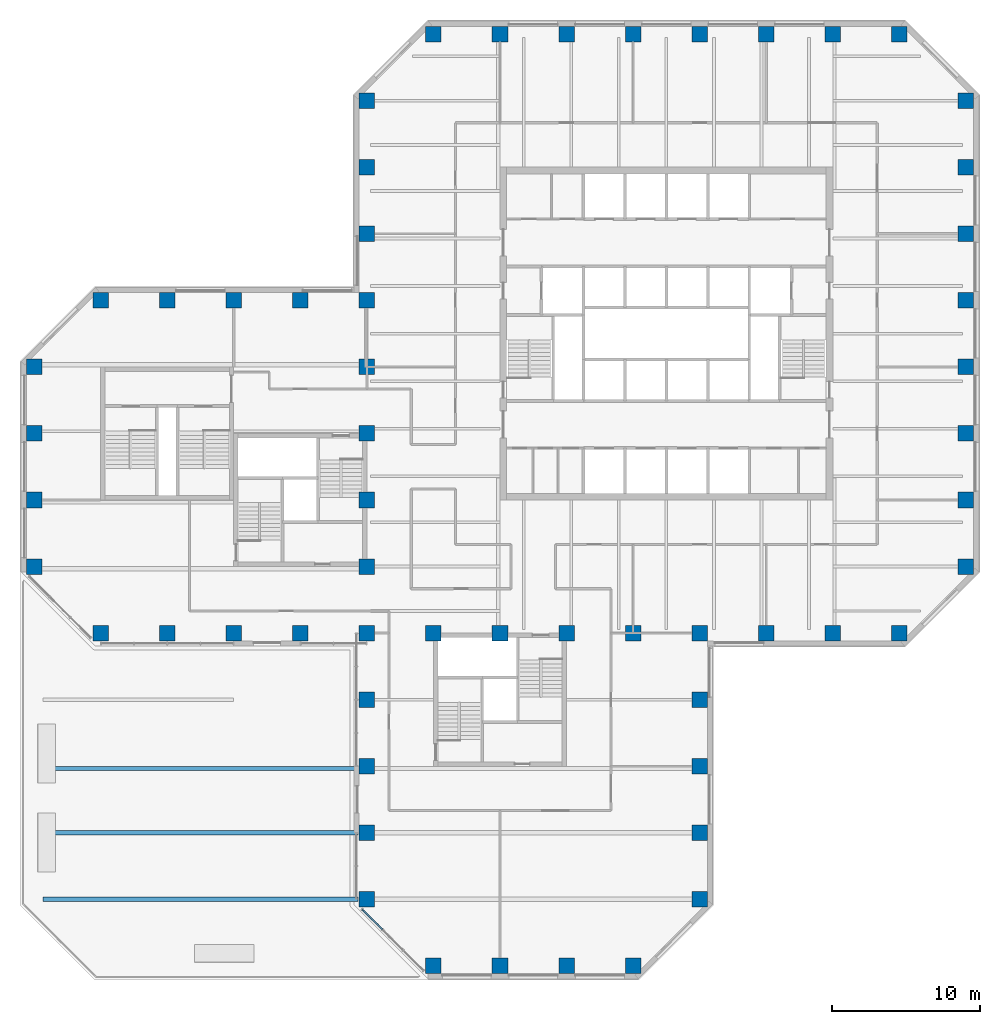
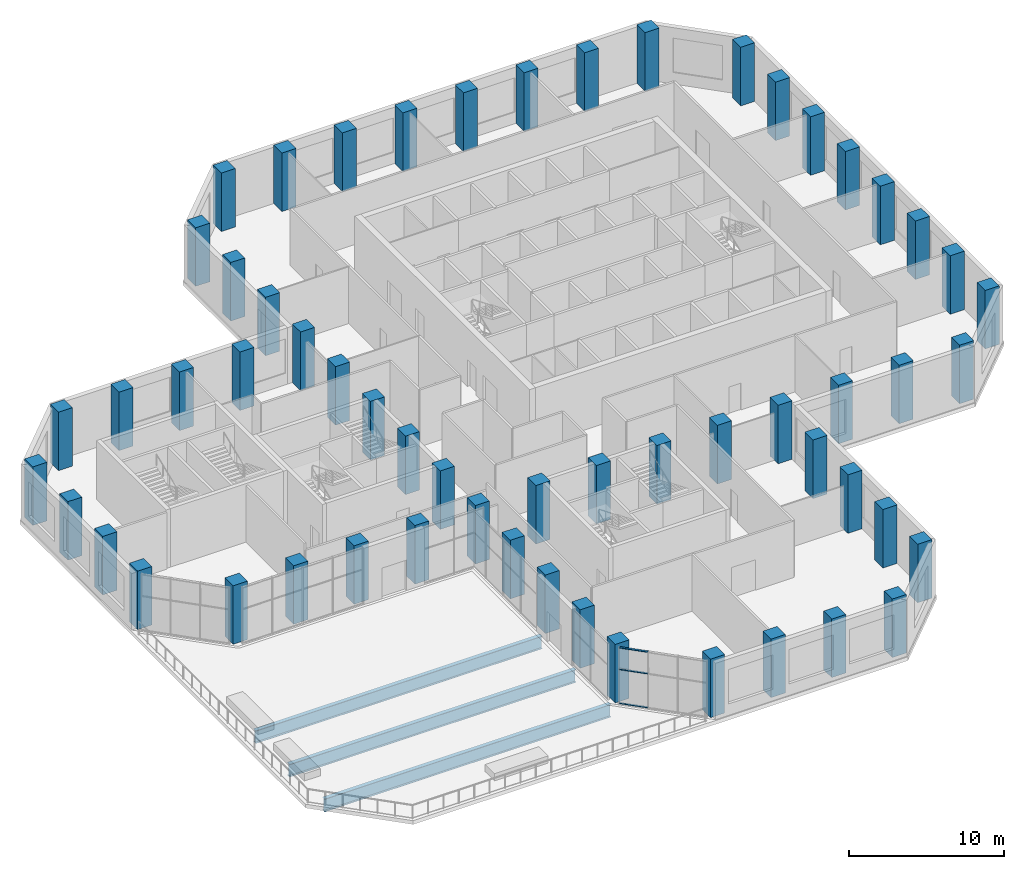
# One storey, part 1 of 14: 57 columns, 3 beams, 3 members, 1 element without a shape of its own.
"""IFC4 building model written with IfcOpenShell, lengths in metres."""

from ifc_helpers import new_model, si_unit, direction, frame, origin, origin_2d, place, context, subcontext, project, spatial, rectangle, i_section, extrude, material, constituent, constituent_set, material_profile, profile_set, type_object, element, aggregate, save


model = new_model("IFC4")

# Units and contexts
model_context = context("Model", 3, precision=1e-05, world=origin(), true_north=direction((0.0, 1.0)))
body_context = subcontext(model_context, "Body", "Model", "MODEL_VIEW")
ifc_project = project(units=[si_unit("LENGTHUNIT", "METRE"), si_unit("AREAUNIT", "SQUARE_METRE"), si_unit("VOLUMEUNIT", "CUBIC_METRE"), si_unit("PLANEANGLEUNIT", "RADIAN"), si_unit("MASSUNIT", "GRAM", prefix="KILO")], contexts=[model_context])

# Site, building, storey
site_placement = place(None, origin())
site = spatial("IfcSite", under=ifc_project, at=site_placement, CompositionType="ELEMENT")
building_placement = place(site_placement, origin())
building = spatial("IfcBuilding", under=site, at=building_placement, Name="Quoin Convention Tower", CompositionType="ELEMENT")
storey_placement = place(building_placement, frame((0.0, 0.0, 74.300048828125)))
storey = spatial("IfcBuildingStorey", under=building, at=storey_placement, Name="L19", CompositionType="ELEMENT", Elevation=74.300048828125)

# Columns
ifc_material_1 = material(Name="Concrete C65", Category="concrete")
ifc_material_profile_1 = material_profile(ifc_material_1, rectangle(XDim=1.050048828125, YDim=1.050048828125, at=origin_2d()), Name="RC 1050x1050")
ifc_profile_set_1 = profile_set([ifc_material_profile_1], Name="Concrete C65")
column_type = type_object("IfcColumnType", Name="RC 1050x1050 C65", PredefinedType="COLUMN", material=ifc_profile_set_1)
for number, where, z_axis, x_axis, name in (
    (1, (40.5, 18.0, 0.0), (0.0, 0.0, 1.0), (1.0, 0.0, 0.0), "col-L19-40500_18000"),
    (2, (45.0, 18.0, 0.0), (0.0, 0.0, 1.0), (1.0, 0.0, 0.0), "col-L19-45000_18000"),
    (3, (49.5, 18.0, 0.0), (0.0, 0.0, 1.0), (1.0, 0.0, 0.0), "col-L19-49500_18000"),
    (4, (54.0, 18.0, 0.0), (0.0, 0.0, 1.0), (1.0, 0.0, 0.0), "col-L19-54000_18000"),
    (5, (36.0, 22.5, 0.0), (0.0, 0.0, 1.0), (1.0, 0.0, 0.0), "col-L19-36000_22500"),
    (6, (58.5, 22.5, 0.0), (0.0, 0.0, 1.0), (1.0, 0.0, 0.0), "col-L19-58500_22500"),
    (7, (36.0, 27.0, 0.0), (0.0, 0.0, 1.0), (1.0, 0.0, 0.0), "col-L19-36000_27000"),
    (8, (58.5, 27.0, 0.0), (0.0, 0.0, 1.0), (1.0, 0.0, 0.0), "col-L19-58500_27000"),
    (9, (36.0, 31.5, 0.0), (0.0, 0.0, 1.0), (1.0, 0.0, 0.0), "col-L19-36000_31500"),
    (10, (58.5, 31.5, 0.0), (0.0, 0.0, 1.0), (1.0, 0.0, 0.0), "col-L19-58500_31500"),
    (11, (36.0, 36.0, 0.0), (0.0, 0.0, 1.0), (1.0, 0.0, 0.0), "col-L19-36000_36000"),
    (12, (58.5, 36.0, 0.0), (0.0, 0.0, 1.0), (1.0, 0.0, 0.0), "col-L19-58500_36000"),
    (13, (18.0, 40.5, 0.0), (0.0, 0.0, 1.0), (1.0, 0.0, 0.0), "col-L19-18000_40500"),
    (14, (22.5, 40.5, 0.0), (0.0, 0.0, 1.0), (1.0, 0.0, 0.0), "col-L19-22500_40500"),
    (15, (27.0, 40.5, 0.0), (0.0, 0.0, 1.0), (1.0, 0.0, 0.0), "col-L19-27000_40500"),
    (16, (31.5, 40.5, 0.0), (0.0, 0.0, 1.0), (1.0, 0.0, 0.0), "col-L19-31500_40500"),
    (17, (36.0, 40.5, 0.0), (0.0, 0.0, 1.0), (1.0, 0.0, 0.0), "col-L19-36000_40500"),
    (18, (40.5, 40.5, 0.0), (0.0, 0.0, 1.0), (1.0, 0.0, 0.0), "web-L19-40500_40500"),
    (19, (45.0, 40.5, 0.0), (0.0, 0.0, 1.0), (1.0, 0.0, 0.0), "web-L19-45000_40500"),
    (20, (49.5, 40.5, 0.0), (0.0, 0.0, 1.0), (1.0, 0.0, 0.0), "web-L19-49500_40500"),
    (21, (54.0, 40.5, 0.0), (0.0, 0.0, 1.0), (1.0, 0.0, 0.0), "web-L19-54000_40500"),
    (22, (58.5, 40.5, 0.0), (0.0, 0.0, 1.0), (1.0, 0.0, 0.0), "col-L19-58500_40500"),
    (23, (63.0, 40.5, 0.0), (0.0, 0.0, 1.0), (1.0, 0.0, 0.0), "col-L19-63000_40500"),
    (24, (67.5, 40.5, 0.0), (0.0, 0.0, 1.0), (1.0, 0.0, 0.0), "col-L19-67500_40500"),
    (25, (72.0, 40.5, 0.0), (0.0, 0.0, 1.0), (1.0, 0.0, 0.0), "col-L19-72000_40500"),
    (26, (13.5, 45.0, 0.0), (0.0, 0.0, 1.0), (1.0, 0.0, 0.0), "col-L19-13500_45000"),
    (27, (36.0, 45.0, 0.0), (0.0, 0.0, 1.0), (1.0, 0.0, 0.0), "web-L19-36000_45000"),
    (28, (76.5, 45.0, 0.0), (0.0, 0.0, 1.0), (1.0, 0.0, 0.0), "col-L19-76500_45000"),
    (29, (13.5, 49.5, 0.0), (0.0, 0.0, 1.0), (1.0, 0.0, 0.0), "col-L19-13500_49500"),
    (30, (36.0, 49.5, 0.0), (0.0, 0.0, 1.0), (1.0, 0.0, 0.0), "web-L19-36000_49500"),
    (31, (76.5, 49.5, 0.0), (0.0, 0.0, 1.0), (1.0, 0.0, 0.0), "col-L19-76500_49500"),
    (32, (13.5, 54.0, 0.0), (0.0, 0.0, 1.0), (1.0, 0.0, 0.0), "col-L19-13500_54000"),
    (33, (36.0, 54.0, 0.0), (0.0, 0.0, 1.0), (1.0, 0.0, 0.0), "web-L19-36000_54000"),
    (34, (76.5, 54.0, 0.0), (0.0, 0.0, 1.0), (1.0, 0.0, 0.0), "col-L19-76500_54000"),
    (35, (13.5, 58.5, 0.0), (0.0, 0.0, 1.0), (1.0, 0.0, 0.0), "col-L19-13500_58500"),
    (36, (36.0, 58.5, 0.0), (0.0, 0.0, 1.0), (1.0, 0.0, 0.0), "web-L19-36000_58500"),
    (37, (76.5, 58.5, 0.0), (0.0, 0.0, 1.0), (1.0, 0.0, 0.0), "col-L19-76500_58500"),
    (38, (18.0, 63.0, 0.0), (0.0, 0.0, 1.0), (1.0, 0.0, 0.0), "col-L19-18000_63000"),
    (39, (22.5, 63.0, 0.0), (0.0, 0.0, 1.0), (1.0, 0.0, 0.0), "col-L19-22500_63000"),
    (40, (27.0, 63.0, 0.0), (0.0, 0.0, 1.0), (1.0, 0.0, 0.0), "col-L19-27000_63000"),
    (41, (31.5, 63.0, 0.0), (0.0, 0.0, 1.0), (1.0, 0.0, 0.0), "col-L19-31500_63000"),
    (42, (36.0, 63.0, 0.0), (0.0, 0.0, 1.0), (1.0, 0.0, 0.0), "col-L19-36000_63000"),
    (43, (76.5, 63.0, 0.0), (0.0, 0.0, 1.0), (1.0, 0.0, 0.0), "col-L19-76500_63000"),
    (44, (36.0, 67.5, 0.0), (0.0, 0.0, 1.0), (1.0, 0.0, 0.0), "col-L19-36000_67500"),
    (45, (76.5, 67.5, 0.0), (0.0, 0.0, 1.0), (1.0, 0.0, 0.0), "col-L19-76500_67500"),
    (46, (36.0, 72.0, 0.0), (0.0, 0.0, 1.0), (1.0, 0.0, 0.0), "col-L19-36000_72000"),
    (47, (76.5, 72.0, 0.0), (0.0, 0.0, 1.0), (1.0, 0.0, 0.0), "col-L19-76500_72000"),
    (48, (36.0, 76.5, 0.0), (0.0, 0.0, 1.0), (1.0, 0.0, 0.0), "col-L19-36000_76500"),
    (49, (76.5, 76.5, 0.0), (0.0, 0.0, 1.0), (1.0, 0.0, 0.0), "col-L19-76500_76500"),
    (50, (40.5, 81.0, 0.0), (0.0, 0.0, 1.0), (1.0, 0.0, 0.0), "col-L19-40500_81000"),
    (51, (45.0, 81.0, 0.0), (0.0, 0.0, 1.0), (1.0, 0.0, 0.0), "col-L19-45000_81000"),
    (52, (49.5, 81.0, 0.0), (0.0, 0.0, 1.0), (1.0, 0.0, 0.0), "col-L19-49500_81000"),
    (53, (54.0, 81.0, 0.0), (0.0, 0.0, 1.0), (1.0, 0.0, 0.0), "col-L19-54000_81000"),
    (54, (58.5, 81.0, 0.0), (0.0, 0.0, 1.0), (1.0, 0.0, 0.0), "col-L19-58500_81000"),
    (55, (63.0, 81.0, 0.0), (0.0, 0.0, 1.0), (1.0, 0.0, 0.0), "col-L19-63000_81000"),
    (56, (67.5, 81.0, 0.0), (0.0, 0.0, 1.0), (1.0, 0.0, 0.0), "col-L19-67500_81000"),
    (57, (72.0, 81.0, 0.0), (0.0, 0.0, 1.0), (1.0, 0.0, 0.0), "col-L19-72000_81000"),
):
    element("IfcColumn", number, at=place(storey_placement, frame(where, z_axis=z_axis, x_axis=x_axis)), inside=storey, type_object=column_type, Name=name, PredefinedType="COLUMN", context=body_context, shape_type="SweptSolid", body=[
        extrude(rectangle(XDim=1.050048828125, YDim=1.050048828125, at=origin_2d()), origin(), (0.0, 0.0, 1.0), 4.599853515625),
    ])

# Beams
ifc_material_2 = material(Name="Steel Grade 300", Category="steel")
ifc_material_profile_2 = material_profile(ifc_material_2, i_section(OverallWidth=0.300048828125, OverallDepth=1.0, WebThickness=0.01611328125, FlangeThickness=0.02001953125, at=origin_2d()), Name="1000WB215")
ifc_profile_set_2 = profile_set([ifc_material_profile_2], Name="Steel Grade 300")
beam_type = type_object("IfcBeamType", Name="1000WB215", PredefinedType="BEAM", material=ifc_profile_set_2)
for number, where, z_axis, x_axis, name in (
    (58, (14.10009765625, 22.5, -0.800048828125), (1.0, 0.0, 0.0), (0.0, 1.0, 0.0), "gir-L19-RT4-1-0"),
    (59, (14.10009765625, 27.0, -0.800048828125), (1.0, 0.0, 0.0), (0.0, 1.0, 0.0), "gir-L19-RT4-2-0"),
    (60, (14.10009765625, 31.35009765625, -0.800048828125), (1.0, 0.0, 0.0), (0.0, 1.0, 0.0), "gir-L19-RT4-3-0"),
):
    element("IfcBeam", number, at=place(storey_placement, frame(where, z_axis=z_axis, x_axis=x_axis)), inside=storey, type_object=beam_type, Name=name, PredefinedType="BEAM", context=body_context, shape_type="SweptSolid", body=[
        extrude(i_section(OverallWidth=0.300048828125, OverallDepth=1.0, WebThickness=0.01611328125, FlangeThickness=0.02001953125, at=origin_2d()), origin(), (0.0, 0.0, 1.0), 21.2998046875),
    ])

# Curtain wall, members
ifc_material_3 = material(Name="Aluminium", Category="aluminium")
ifc_constituent_1 = constituent(ifc_material_3, Name="Frame")
ifc_material_4 = material(Name="Insulated glass", Category="glass")
ifc_constituent_2 = constituent(ifc_material_4, Name="Glazing")
ifc_constituent_set = constituent_set(constituents=[ifc_constituent_1, ifc_constituent_2], Name="Aluminium")
curtain_wall_type = type_object("IfcCurtainWallType", Name="Sky lobby glazing system", PredefinedType="NOTDEFINED", material=ifc_constituent_set)
curtain_wall_placement = place(storey_placement, origin())
curtain_wall = element("IfcCurtainWall", 61, at=curtain_wall_placement, inside=storey, type_object=curtain_wall_type, Name="cw-SKY-L19-35505_22005", PredefinedType="NOTDEFINED")
ifc_material_profile_3 = material_profile(ifc_material_3, rectangle(XDim=0.10009765625, YDim=0.050048828125, at=origin_2d()), Name="Sky lobby glazing transom 50x100")
ifc_profile_set_3 = profile_set([ifc_material_profile_3], Name="Aluminium")
member_type = type_object("IfcMemberType", Name="Sky lobby glazing transom 50x100", PredefinedType="USERDEFINED", material=ifc_profile_set_3)
member_1_placement = place(storey_placement, frame((35.696044921875, 21.814208984375, 0.02490234375), z_axis=(0.707042606682, -0.707170949867, 0.0), x_axis=(0.707170949867, 0.707042606682, 0.0)))
member_1 = element("IfcMember", 62, at=member_1_placement, type_object=member_type, Name="CW3 transom 1.1", ObjectType="TRANSOM", PredefinedType="USERDEFINED", context=body_context, shape_type="SweptSolid", body=[
    extrude(rectangle(XDim=0.10009765625, YDim=0.050048828125, at=origin_2d()), origin(), (0.0, 0.0, 1.0), 1.90234375),
])
member_2_placement = place(storey_placement, frame((35.696044921875, 21.814208984375, 2.699951171875), z_axis=(0.707042606682, -0.707170949867, 0.0), x_axis=(0.707170949867, 0.707042606682, 0.0)))
member_2 = element("IfcMember", 63, at=member_2_placement, type_object=member_type, Name="CW3 transom 1.2", ObjectType="TRANSOM", PredefinedType="USERDEFINED", context=body_context, shape_type="SweptSolid", body=[
    extrude(rectangle(XDim=0.10009765625, YDim=0.050048828125, at=origin_2d()), origin(), (0.0, 0.0, 1.0), 1.90234375),
])
member_3_placement = place(storey_placement, frame((35.696044921875, 21.814208984375, 4.39990234375), z_axis=(0.707042606682, -0.707170949867, 0.0), x_axis=(0.707170949867, 0.707042606682, 0.0)))
member_3 = element("IfcMember", 64, at=member_3_placement, type_object=member_type, Name="CW3 transom 1.3", ObjectType="TRANSOM", PredefinedType="USERDEFINED", context=body_context, shape_type="SweptSolid", body=[
    extrude(rectangle(XDim=0.10009765625, YDim=0.050048828125, at=origin_2d()), origin(), (0.0, 0.0, 1.0), 1.90234375),
])
aggregate(curtain_wall, [member_1, member_2, member_3])

save(model, "model.ifc")
